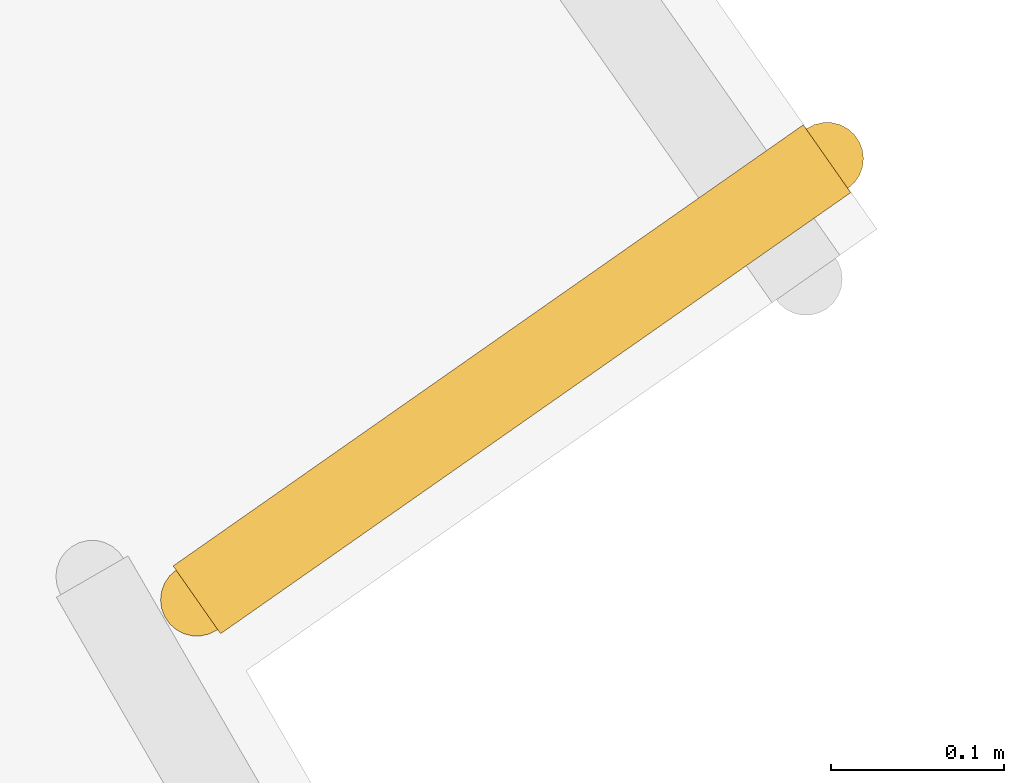
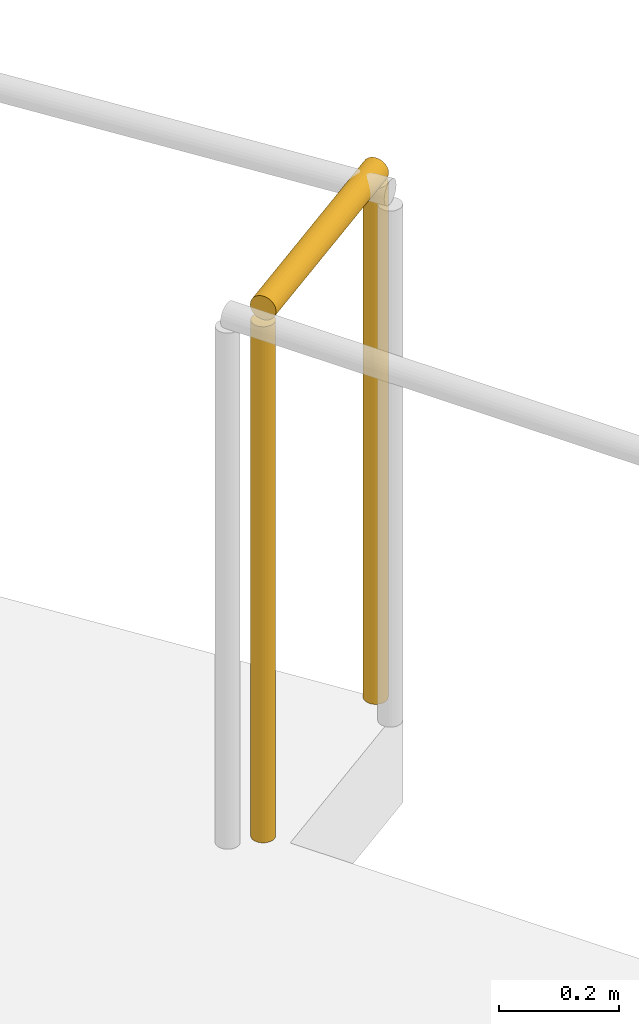
# One storey, part 14 of 16: 1 railing.
"""IFC4 building model written with IfcOpenShell, lengths in metres."""

import ifcopenshell
import ifcopenshell.guid

model = None  # the IFC model being written
_history = None  # IfcOwnerHistory: only IFC2X3 demands one
_inside = {}  # id of a spatial element -> (the spatial element, [elements in it])
_under = {}  # id of a project, library or spatial element -> (it, [spatial elements below it])
_declared = {}  # id of a project -> (the project, [libraries it declares])
_typed = {}  # id of a type object -> (the type object, [elements of that type])
_made_of = {}  # id of a material, layer set ... -> (it, [elements and type objects made of it])


def new_model(schema):
    """Start an empty IFC model of exactly this schema.

    Asked for "IFC4X3", IfcOpenShell would pick the latest addendum, in which some entities
    have other attributes; the version numbers below select the first issue.
    IFC2X3 requires an IfcOwnerHistory on every rooted entity: one is made here for all.
    """
    global model, _history
    if schema == "IFC4X3":
        model = ifcopenshell.file(schema_version=(4, 3, 0, 0))
    else:
        model = ifcopenshell.file(schema=schema)
    _inside.clear()
    _under.clear()
    _declared.clear()
    _typed.clear()
    _made_of.clear()
    _history = None
    if model.schema == "IFC2X3":
        org = make("IfcOrganization", Name="unknown")
        user = make(
            "IfcPersonAndOrganization",
            ThePerson=make("IfcPerson", FamilyName="unknown"),
            TheOrganization=org,
        )
        app = make(
            "IfcApplication",
            ApplicationDeveloper=org,
            Version="unknown",
            ApplicationFullName="unknown",
            ApplicationIdentifier="unknown",
        )
        _history = make(
            "IfcOwnerHistory",
            OwningUser=user,
            OwningApplication=app,
            ChangeAction="ADDED",
            CreationDate=0,
        )
    return model


def make(cls, **values):
    """One entity of the class cls with the attributes given. An attribute that is None is left unset."""
    return model.create_entity(
        cls, **{name: value for name, value in values.items() if value is not None}
    )


def rooted(cls, **values):
    """An entity with a GlobalId (a new one), such as an element, a storey or a relation."""
    return make(cls, GlobalId=ifcopenshell.guid.new(), OwnerHistory=_history, **values)


def si_unit(unit_type, name, prefix=None):
    """IfcSIUnit, for example si_unit("LENGTHUNIT", "METRE", prefix="MILLI")."""
    return make("IfcSIUnit", UnitType=unit_type, Prefix=prefix, Name=name)


def assignment(units):
    """IfcUnitAssignment: the units of a project."""
    return None if units is None else make("IfcUnitAssignment", Units=units)


def point(xyz):
    """IfcCartesianPoint."""
    return None if xyz is None else make("IfcCartesianPoint", Coordinates=xyz)


def direction(xyz):
    """IfcDirection."""
    return None if xyz is None else make("IfcDirection", DirectionRatios=xyz)


def frame(location, z_axis=None, x_axis=None):
    """IfcAxis2Placement3D, a coordinate frame: its origin and axes. An axis left out is left unset."""
    return make(
        "IfcAxis2Placement3D",
        Location=point(location),
        Axis=direction(z_axis),
        RefDirection=direction(x_axis),
    )


def frame_2d(location, x_axis=None):
    """IfcAxis2Placement2D, a coordinate frame in the plane: its origin and x axis."""
    return make(
        "IfcAxis2Placement2D", Location=point(location), RefDirection=direction(x_axis)
    )


def origin():
    """The frame at (0, 0, 0) with its axes left unset."""
    return frame((0.0, 0.0, 0.0))


def origin_2d():
    """The frame at (0, 0) in the plane with its x axis left unset."""
    return frame_2d((0.0, 0.0))


def place(relative_to, where):
    """IfcLocalPlacement: puts the frame where relative to a parent placement (None: the world)."""
    return make(
        "IfcLocalPlacement", PlacementRelTo=relative_to, RelativePlacement=where
    )


def context(
    kind, dimensions, precision=None, world=None, true_north=None, identifier=None
):
    """IfcGeometricRepresentationContext, for example the 3D "Model" context."""
    return make(
        "IfcGeometricRepresentationContext",
        ContextIdentifier=identifier,
        ContextType=kind,
        CoordinateSpaceDimension=dimensions,
        Precision=precision,
        WorldCoordinateSystem=world,
        TrueNorth=true_north,
    )


def subcontext(parent, identifier, kind, view, scale=None):
    """IfcGeometricRepresentationSubContext, for example "Body" below "Model"."""
    return make(
        "IfcGeometricRepresentationSubContext",
        ContextIdentifier=identifier,
        ContextType=kind,
        ParentContext=parent,
        TargetScale=scale,
        TargetView=view,
    )


def project(units=None, contexts=None):
    """IfcProject with its units and contexts."""
    return rooted(
        "IfcProject",
        Name="project",
        RepresentationContexts=contexts,
        UnitsInContext=assignment(units),
    )


def spatial(cls, under=None, at=None, **own):
    """A site, building, storey or space (cls), placed at a placement, below another one or the project."""
    s = rooted(cls, ObjectPlacement=at, **own)
    if under is not None:
        _under.setdefault(under.id(), (under, []))[1].append(s)
    return s


def profile(cls, at=None, kind="AREA", **sizes):
    """A parametric profile (cls). Its sizes go by their IFC names, for example OverallWidth=200.0."""
    return make(cls, ProfileType=kind, Position=at, **sizes)


def circle(**sizes):
    """IfcCircleProfileDef."""
    return profile("IfcCircleProfileDef", **sizes)


def extrude(swept, where, along, depth):
    """IfcExtrudedAreaSolid: the profile swept, set in the frame where, extruded along a direction by depth."""
    return make(
        "IfcExtrudedAreaSolid",
        SweptArea=swept,
        Position=where,
        ExtrudedDirection=direction(along),
        Depth=depth,
    )


def shape(context_of_items, identifier, shape_type, items):
    """IfcShapeRepresentation: the items that make up one representation, for example the "Body"."""
    return make(
        "IfcShapeRepresentation",
        ContextOfItems=context_of_items,
        RepresentationIdentifier=identifier,
        RepresentationType=shape_type,
        Items=items,
    )


def material(Name=None, Category=None):
    """IfcMaterial."""
    return make("IfcMaterial", Name=Name, Category=Category)


def made_of(thing, what):
    """Note that an element or type object is made of a material, layer set ...; save() writes the relation."""
    if what is not None:
        _made_of.setdefault(what.id(), (what, []))[1].append(thing)
    return thing


def type_object(cls, material=None, **own):
    """A type object (cls), such as IfcWallType, which elements share."""
    return made_of(rooted(cls, **own), material)


def element(
    cls,
    number,
    at=None,
    inside=None,
    cuts=None,
    type_object=None,
    material=None,
    context=None,
    identifier="Body",
    shape_type=None,
    held_by="IfcProductDefinitionShape",
    body=None,
    shapes=None,
    **own,
):
    """One element of the class cls, such as IfcWall. Its Tag is "e" and its number.

    at: its placement. inside: the storey or other place that contains it. cuts: it is an
    opening in that element (IfcRelVoidsElement). A single representation is given by context,
    identifier, shape_type and body (its items); several are given by shapes. held_by: the class
    of the entity that holds the representations. save() writes the other relations.
    """
    e = rooted(cls, Tag="e%d" % number, ObjectPlacement=at, **own)
    if body is not None:
        shapes = [shape(context, identifier, shape_type, body)]
    if shapes is not None:
        e.Representation = make(held_by, Representations=shapes)
    if inside is not None:
        _inside.setdefault(inside.id(), (inside, []))[1].append(e)
    if cuts is not None:
        rooted(
            "IfcRelVoidsElement", RelatingBuildingElement=cuts, RelatedOpeningElement=e
        )
    if type_object is not None:
        _typed.setdefault(type_object.id(), (type_object, []))[1].append(e)
    return made_of(e, material)


def aggregate(whole, parts):
    """IfcRelAggregates: a whole, such as a stair, and the parts it consists of."""
    return rooted("IfcRelAggregates", RelatingObject=whole, RelatedObjects=parts)


def save(model, path):
    """Write the relations noted so far, then the file.

    IfcRelAggregates (storeys below a building ...), IfcRelContainedInSpatialStructure (elements
    in a storey), IfcRelDefinesByType, IfcRelAssociatesMaterial and IfcRelDeclares: one each for
    every whole, place, type object, material and project.
    """
    for whole, parts in _under.values():
        aggregate(whole, parts)
    for where, things in _inside.values():
        rooted(
            "IfcRelContainedInSpatialStructure",
            RelatedElements=things,
            RelatingStructure=where,
        )
    for kind, things in _typed.values():
        rooted("IfcRelDefinesByType", RelatedObjects=things, RelatingType=kind)
    for what, things in _made_of.values():
        rooted("IfcRelAssociatesMaterial", RelatedObjects=things, RelatingMaterial=what)
    for by, libraries in _declared.values():
        rooted("IfcRelDeclares", RelatingContext=by, RelatedDefinitions=libraries)
    model.write(path)


model = new_model("IFC4")

# Units and contexts
model_context = context("Model", 3, precision=1e-05, world=origin(), true_north=direction((0.0, 1.0)))
body_context = subcontext(model_context, "Body", "Model", "MODEL_VIEW")
ifc_project = project(units=[si_unit("LENGTHUNIT", "METRE"), si_unit("AREAUNIT", "SQUARE_METRE"), si_unit("VOLUMEUNIT", "CUBIC_METRE"), si_unit("PLANEANGLEUNIT", "RADIAN"), si_unit("MASSUNIT", "GRAM", prefix="KILO")], contexts=[model_context])

# Site, building, storey
site_placement = place(None, origin())
site = spatial("IfcSite", under=ifc_project, at=site_placement, CompositionType="ELEMENT")
building_placement = place(site_placement, origin())
building = spatial("IfcBuilding", under=site, at=building_placement, Name="Torsade Residences", CompositionType="ELEMENT")
storey_placement = place(building_placement, frame((0.0, 0.0, 235.39990234375)))
storey = spatial("IfcBuildingStorey", under=building, at=storey_placement, Name="L65", CompositionType="ELEMENT", Elevation=235.39990234375)

# Railing
ifc_material = material(Name="Galvanised steel guard rail", Category="steel")
railing_type = type_object("IfcRailingType", Name="ROOF EDGE GUARD 1100", PredefinedType="GUARDRAIL", material=ifc_material)
railing_placement = place(storey_placement, frame((67.256103515625, 27.782470703125, 0.0)))
element("IfcRailing", 1, at=railing_placement, inside=storey, type_object=railing_type, Name="Roof edge guard L65 6", PredefinedType="GUARDRAIL", context=body_context, shape_type="SweptSolid", body=[
    extrude(circle(Radius=0.02392578125, at=origin_2d()), frame((0.0, 0.0, 1.076171875), z_axis=(0.819257699073, 0.573425516096, 0.0), x_axis=(-0.573425516096, 0.819257699073, 0.0)), (0.0, 0.0, 1.0), 0.44482421875),
    extrude(circle(Radius=0.02099609375, at=origin_2d()), origin(), (0.0, 0.0, 1.0), 1.052001953125),
    extrude(circle(Radius=0.02099609375, at=origin_2d()), frame((0.364501953125, 0.255126953125, 0.0)), (0.0, 0.0, 1.0), 1.052001953125),
])

save(model, "model.ifc")
